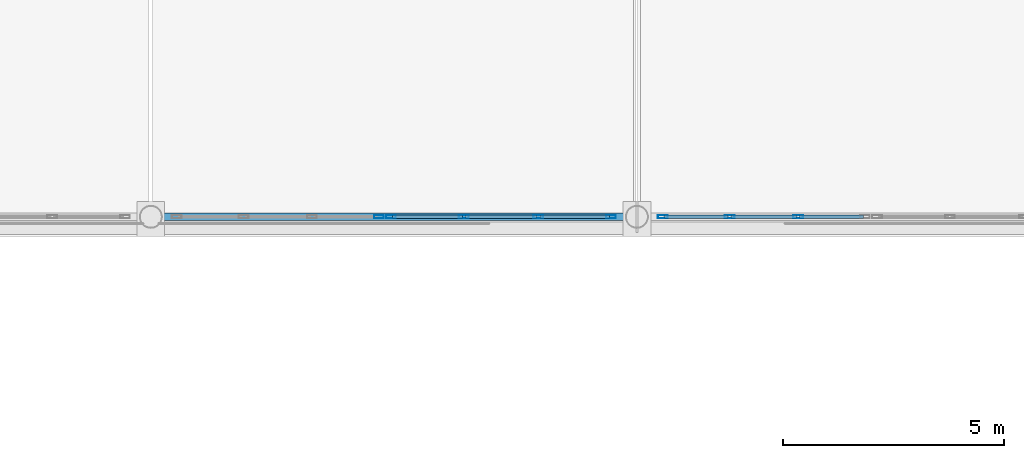
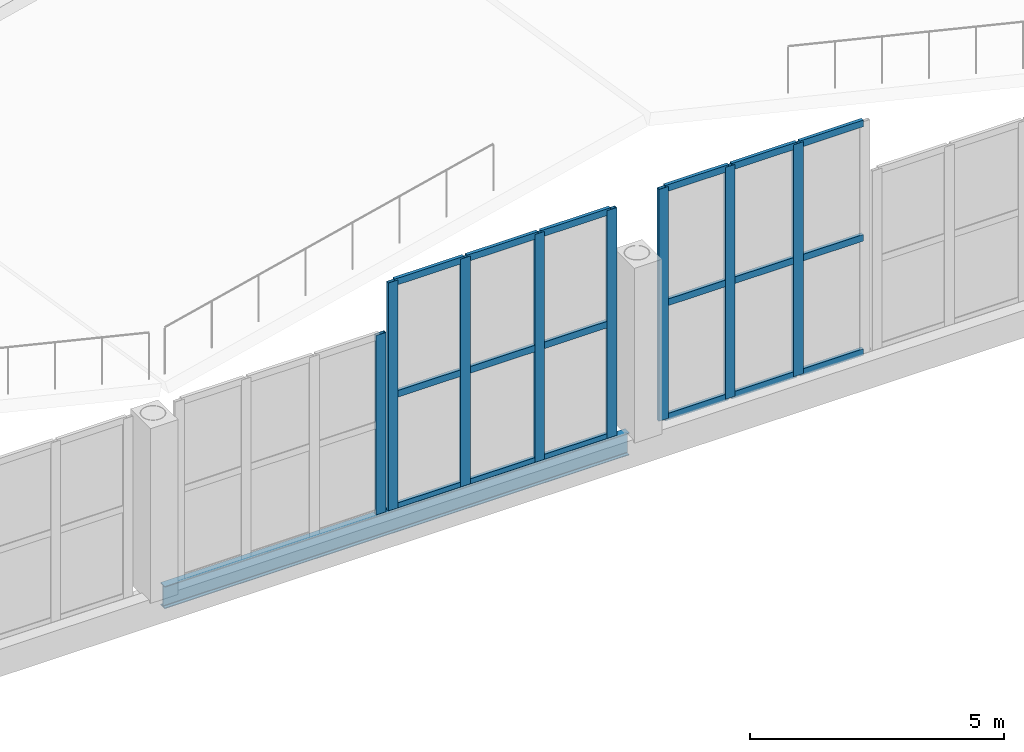
# One storey, part 17 of 120: 26 members, 1 beam, 3 elements without a shape of their own.
"""IFC4 building model written with IfcOpenShell, lengths in metres."""

from ifc_helpers import new_model, si_unit, direction, frame, origin, origin_2d, place, context, subcontext, project, spatial, hollow_rectangle, i_section, extrude, material, material_profile, profile_set, type_object, element, aggregate, save


model = new_model("IFC4")

# Units and contexts
model_context = context("Model", 3, precision=1e-05, world=origin(), true_north=direction((0.0, 1.0)))
body_context = subcontext(model_context, "Body", "Model", "MODEL_VIEW")
ifc_project = project(units=[si_unit("LENGTHUNIT", "METRE"), si_unit("AREAUNIT", "SQUARE_METRE"), si_unit("VOLUMEUNIT", "CUBIC_METRE"), si_unit("PLANEANGLEUNIT", "RADIAN"), si_unit("MASSUNIT", "GRAM", prefix="KILO")], contexts=[model_context])

# Site, building, storey
site_placement = place(None, origin())
site = spatial("IfcSite", under=ifc_project, at=site_placement, CompositionType="ELEMENT")
building_placement = place(site_placement, origin())
building = spatial("IfcBuilding", under=site, at=building_placement, Name="Caurita Quay Ferry Terminal", CompositionType="ELEMENT")
storey_placement = place(building_placement, frame((0.0, 0.0, 9.89990234375)))
storey = spatial("IfcBuildingStorey", under=building, at=storey_placement, Name="L02", CompositionType="ELEMENT", Elevation=9.89990234375)

# Beam
ifc_material_1 = material(Name="Structural steel ASTM A992 Gr. 50", Category="steel")
ifc_material_profile_1 = material_profile(ifc_material_1, i_section(OverallWidth=0.16650390625, OverallDepth=0.535888671875, WebThickness=0.01025390625, FlangeThickness=0.0166015625, FilletRadius=0.013916015625, at=origin_2d()), Name="W21X57")
ifc_profile_set_1 = profile_set([ifc_material_profile_1], Name="Structural steel ASTM A992 Gr. 50")
beam_type = type_object("IfcBeamType", Name="BM-SP-W21B", PredefinedType="SPANDREL", material=ifc_profile_set_1)
beam_placement = place(storey_placement, frame((44.219970703125, 34.60009765625, -0.267822265625), z_axis=(1.0, 0.0, 0.0), x_axis=(0.0, 1.0, 0.0)))
element("IfcBeam", 1, at=beam_placement, inside=storey, type_object=beam_type, Name="V1 Waterside Clerestory Sill Spandrel 44", PredefinedType="SPANDREL", context=body_context, shape_type="SweptSolid", body=[
    extrude(i_section(OverallWidth=0.16650390625, OverallDepth=0.535888671875, WebThickness=0.01025390625, FlangeThickness=0.0166015625, FilletRadius=0.013916015625, at=origin_2d()), origin(), (0.0, 0.0, 1.0), 10.56005859375),
])

# Curtain wall, member
ifc_material_2 = material(Name="Laminated solar-control insulated glass", Category="glass")
curtain_wall_type_1 = type_object("IfcCurtainWallType", Name="CW-SYS-01", PredefinedType="NOTDEFINED", material=ifc_material_2)
curtain_wall_1_placement = place(storey_placement, origin())
curtain_wall_1 = element("IfcCurtainWall", 2, at=curtain_wall_1_placement, inside=storey, type_object=curtain_wall_type_1, Name="Folded Roof Clerestory FB-03-S1", PredefinedType="NOTDEFINED")
ifc_material_3 = material(Name="Anodized aluminium 6063-T6", Category="aluminium")
ifc_material_profile_2 = material_profile(ifc_material_3, hollow_rectangle(XDim=0.074951171875, YDim=0.219970703125, WallThickness=0.00390625, at=origin_2d()), Name="ALU-MUL-75X220")
ifc_profile_set_2 = profile_set([ifc_material_profile_2], Name="Anodized aluminium 6063-T6")
member_type_1 = type_object("IfcMemberType", Name="CW-MUL-220", PredefinedType="MULLION", material=ifc_profile_set_2)
member_1_placement = place(storey_placement, frame((49.16259765625, 34.60009765625, 0.0), z_axis=(0.0, 0.0, 1.0), x_axis=(0.0, 1.0, 0.0)))
member_1 = element("IfcMember", 3, at=member_1_placement, type_object=member_type_1, Name="CW-CLR-017 Mullion 4", PredefinedType="MULLION", context=body_context, shape_type="SweptSolid", body=[
    extrude(hollow_rectangle(XDim=0.074951171875, YDim=0.219970703125, WallThickness=0.00390625, at=origin_2d()), origin(), (0.0, 0.0, 1.0), 4.31298828125),
])
aggregate(curtain_wall_1, [member_1])

# Curtain wall, members
curtain_wall_type_2 = type_object("IfcCurtainWallType", Name="CW-SYS-02", PredefinedType="NOTDEFINED", material=ifc_material_2)
curtain_wall_2_placement = place(storey_placement, origin())
curtain_wall_2 = element("IfcCurtainWall", 4, at=curtain_wall_2_placement, inside=storey, type_object=curtain_wall_type_2, Name="Folded Roof Clerestory FB-03-S2", PredefinedType="NOTDEFINED")
member_2_placement = place(storey_placement, frame((49.4375, 34.60009765625, 0.0), z_axis=(0.0, 0.0, 1.0), x_axis=(0.0, 1.0, 0.0)))
member_2 = element("IfcMember", 5, at=member_2_placement, type_object=member_type_1, Name="CW-CLR-018 Mullion 1", PredefinedType="MULLION", context=body_context, shape_type="SweptSolid", body=[
    extrude(hollow_rectangle(XDim=0.074951171875, YDim=0.219970703125, WallThickness=0.00390625, at=origin_2d()), origin(), (0.0, 0.0, 1.0), 5.47705078125),
])
member_3_placement = place(storey_placement, frame((51.083251953125, 34.60009765625, 0.0), z_axis=(0.0, 0.0, 1.0), x_axis=(0.0, 1.0, 0.0)))
member_3 = element("IfcMember", 6, at=member_3_placement, type_object=member_type_1, Name="CW-CLR-018 Mullion 2", PredefinedType="MULLION", context=body_context, shape_type="SweptSolid", body=[
    extrude(hollow_rectangle(XDim=0.074951171875, YDim=0.219970703125, WallThickness=0.00390625, at=origin_2d()), origin(), (0.0, 0.0, 1.0), 5.47705078125),
])
member_4_placement = place(storey_placement, frame((52.7666015625, 34.60009765625, 0.0), z_axis=(0.0, 0.0, 1.0), x_axis=(0.0, 1.0, 0.0)))
member_4 = element("IfcMember", 7, at=member_4_placement, type_object=member_type_1, Name="CW-CLR-018 Mullion 3", PredefinedType="MULLION", context=body_context, shape_type="SweptSolid", body=[
    extrude(hollow_rectangle(XDim=0.074951171875, YDim=0.219970703125, WallThickness=0.00390625, at=origin_2d()), origin(), (0.0, 0.0, 1.0), 5.47705078125),
])
member_5_placement = place(storey_placement, frame((54.41259765625, 34.60009765625, 0.0), z_axis=(0.0, 0.0, 1.0), x_axis=(0.0, 1.0, 0.0)))
member_5 = element("IfcMember", 8, at=member_5_placement, type_object=member_type_1, Name="CW-CLR-018 Mullion 4", PredefinedType="MULLION", context=body_context, shape_type="SweptSolid", body=[
    extrude(hollow_rectangle(XDim=0.074951171875, YDim=0.219970703125, WallThickness=0.00390625, at=origin_2d()), origin(), (0.0, 0.0, 1.0), 5.47705078125),
])

curtain_wall_type_3 = type_object("IfcCurtainWallType", Name="CW-SYS-03", PredefinedType="NOTDEFINED", material=ifc_material_2)
curtain_wall_3_placement = place(storey_placement, origin())
curtain_wall_3 = element("IfcCurtainWall", 9, at=curtain_wall_3_placement, inside=storey, type_object=curtain_wall_type_3, Name="Folded Roof Clerestory FB-03-S3", PredefinedType="NOTDEFINED")
member_6_placement = place(storey_placement, frame((55.58740234375, 34.60009765625, 0.0), z_axis=(0.0, 0.0, 1.0), x_axis=(0.0, 1.0, 0.0)))
member_6 = element("IfcMember", 10, at=member_6_placement, type_object=member_type_1, Name="CW-CLR-019 Mullion 1", PredefinedType="MULLION", context=body_context, shape_type="SweptSolid", body=[
    extrude(hollow_rectangle(XDim=0.074951171875, YDim=0.219970703125, WallThickness=0.00390625, at=origin_2d()), origin(), (0.0, 0.0, 1.0), 5.572998046875),
])
member_7_placement = place(storey_placement, frame((57.10009765625, 34.60009765625, 0.0), z_axis=(0.0, 0.0, 1.0), x_axis=(0.0, 1.0, 0.0)))
member_7 = element("IfcMember", 11, at=member_7_placement, type_object=member_type_1, Name="CW-CLR-019 Mullion 2", PredefinedType="MULLION", context=body_context, shape_type="SweptSolid", body=[
    extrude(hollow_rectangle(XDim=0.074951171875, YDim=0.219970703125, WallThickness=0.00390625, at=origin_2d()), origin(), (0.0, 0.0, 1.0), 5.572998046875),
])
member_8_placement = place(storey_placement, frame((58.64990234375, 34.60009765625, 0.0), z_axis=(0.0, 0.0, 1.0), x_axis=(0.0, 1.0, 0.0)))
member_8 = element("IfcMember", 12, at=member_8_placement, type_object=member_type_1, Name="CW-CLR-019 Mullion 3", PredefinedType="MULLION", context=body_context, shape_type="SweptSolid", body=[
    extrude(hollow_rectangle(XDim=0.074951171875, YDim=0.219970703125, WallThickness=0.00390625, at=origin_2d()), origin(), (0.0, 0.0, 1.0), 5.572998046875),
])

# Member
ifc_material_profile_3 = material_profile(ifc_material_3, hollow_rectangle(XDim=0.074951171875, YDim=0.159912109375, WallThickness=0.00390625, at=origin_2d()), Name="ALU-TRN-75X160")
ifc_profile_set_3 = profile_set([ifc_material_profile_3], Name="Anodized aluminium 6063-T6")
member_type_2 = type_object("IfcMemberType", Name="CW-TRN-160", PredefinedType="USERDEFINED", material=ifc_profile_set_3)
member_9_placement = place(storey_placement, frame((49.472900390625, 34.60009765625, 0.03759765625), z_axis=(1.0, 0.0, 0.0), x_axis=(0.0, 1.0, 0.0)))
member_9 = element("IfcMember", 13, at=member_9_placement, type_object=member_type_2, Name="CW-CLR-018 Transom 1", ObjectType="TRANSOM", PredefinedType="USERDEFINED", context=body_context, shape_type="SweptSolid", body=[
    extrude(hollow_rectangle(XDim=0.074951171875, YDim=0.159912109375, WallThickness=0.00390625, at=origin_2d()), origin(), (0.0, 0.0, 1.0), 1.574951171875),
])

member_10_placement = place(storey_placement, frame((49.472900390625, 34.60009765625, 2.738525390625), z_axis=(1.0, 0.0, 0.0), x_axis=(0.0, 1.0, 0.0)))
member_10 = element("IfcMember", 14, at=member_10_placement, type_object=member_type_2, Name="CW-CLR-018 Transom 2", ObjectType="TRANSOM", PredefinedType="USERDEFINED", context=body_context, shape_type="SweptSolid", body=[
    extrude(hollow_rectangle(XDim=0.074951171875, YDim=0.159912109375, WallThickness=0.00390625, at=origin_2d()), origin(), (0.0, 0.0, 1.0), 1.574951171875),
])

member_11_placement = place(storey_placement, frame((49.472900390625, 34.60009765625, 5.439697265625), z_axis=(1.0, 0.0, 0.0), x_axis=(0.0, 1.0, 0.0)))
member_11 = element("IfcMember", 15, at=member_11_placement, type_object=member_type_2, Name="CW-CLR-018 Transom 3", ObjectType="TRANSOM", PredefinedType="USERDEFINED", context=body_context, shape_type="SweptSolid", body=[
    extrude(hollow_rectangle(XDim=0.074951171875, YDim=0.159912109375, WallThickness=0.00390625, at=origin_2d()), origin(), (0.0, 0.0, 1.0), 1.574951171875),
])

member_12_placement = place(storey_placement, frame((51.118896484375, 34.60009765625, 0.03759765625), z_axis=(1.0, 0.0, 0.0), x_axis=(0.0, 1.0, 0.0)))
member_12 = element("IfcMember", 16, at=member_12_placement, type_object=member_type_2, Name="CW-CLR-018 Transom 4", ObjectType="TRANSOM", PredefinedType="USERDEFINED", context=body_context, shape_type="SweptSolid", body=[
    extrude(hollow_rectangle(XDim=0.074951171875, YDim=0.159912109375, WallThickness=0.00390625, at=origin_2d()), origin(), (0.0, 0.0, 1.0), 1.6123046875),
])

member_13_placement = place(storey_placement, frame((51.118896484375, 34.60009765625, 2.738525390625), z_axis=(1.0, 0.0, 0.0), x_axis=(0.0, 1.0, 0.0)))
member_13 = element("IfcMember", 17, at=member_13_placement, type_object=member_type_2, Name="CW-CLR-018 Transom 5", ObjectType="TRANSOM", PredefinedType="USERDEFINED", context=body_context, shape_type="SweptSolid", body=[
    extrude(hollow_rectangle(XDim=0.074951171875, YDim=0.159912109375, WallThickness=0.00390625, at=origin_2d()), origin(), (0.0, 0.0, 1.0), 1.6123046875),
])

member_14_placement = place(storey_placement, frame((51.118896484375, 34.60009765625, 5.439697265625), z_axis=(1.0, 0.0, 0.0), x_axis=(0.0, 1.0, 0.0)))
member_14 = element("IfcMember", 18, at=member_14_placement, type_object=member_type_2, Name="CW-CLR-018 Transom 6", ObjectType="TRANSOM", PredefinedType="USERDEFINED", context=body_context, shape_type="SweptSolid", body=[
    extrude(hollow_rectangle(XDim=0.074951171875, YDim=0.159912109375, WallThickness=0.00390625, at=origin_2d()), origin(), (0.0, 0.0, 1.0), 1.6123046875),
])

member_15_placement = place(storey_placement, frame((52.80224609375, 34.60009765625, 0.03759765625), z_axis=(1.0, 0.0, 0.0), x_axis=(0.0, 1.0, 0.0)))
member_15 = element("IfcMember", 19, at=member_15_placement, type_object=member_type_2, Name="CW-CLR-018 Transom 7", ObjectType="TRANSOM", PredefinedType="USERDEFINED", context=body_context, shape_type="SweptSolid", body=[
    extrude(hollow_rectangle(XDim=0.074951171875, YDim=0.159912109375, WallThickness=0.00390625, at=origin_2d()), origin(), (0.0, 0.0, 1.0), 1.57470703125),
])

member_16_placement = place(storey_placement, frame((52.80224609375, 34.60009765625, 2.738525390625), z_axis=(1.0, 0.0, 0.0), x_axis=(0.0, 1.0, 0.0)))
member_16 = element("IfcMember", 20, at=member_16_placement, type_object=member_type_2, Name="CW-CLR-018 Transom 8", ObjectType="TRANSOM", PredefinedType="USERDEFINED", context=body_context, shape_type="SweptSolid", body=[
    extrude(hollow_rectangle(XDim=0.074951171875, YDim=0.159912109375, WallThickness=0.00390625, at=origin_2d()), origin(), (0.0, 0.0, 1.0), 1.57470703125),
])

member_17_placement = place(storey_placement, frame((52.80224609375, 34.60009765625, 5.439697265625), z_axis=(1.0, 0.0, 0.0), x_axis=(0.0, 1.0, 0.0)))
member_17 = element("IfcMember", 21, at=member_17_placement, type_object=member_type_2, Name="CW-CLR-018 Transom 9", ObjectType="TRANSOM", PredefinedType="USERDEFINED", context=body_context, shape_type="SweptSolid", body=[
    extrude(hollow_rectangle(XDim=0.074951171875, YDim=0.159912109375, WallThickness=0.00390625, at=origin_2d()), origin(), (0.0, 0.0, 1.0), 1.57470703125),
])

aggregate(curtain_wall_2, [member_2, member_3, member_4, member_5, member_9, member_10, member_11, member_12, member_13, member_14, member_15, member_16, member_17])

member_18_placement = place(storey_placement, frame((55.623046875, 34.60009765625, 0.03759765625), z_axis=(1.0, 0.0, 0.0), x_axis=(0.0, 1.0, 0.0)))
member_18 = element("IfcMember", 22, at=member_18_placement, type_object=member_type_2, Name="CW-CLR-019 Transom 1", ObjectType="TRANSOM", PredefinedType="USERDEFINED", context=body_context, shape_type="SweptSolid", body=[
    extrude(hollow_rectangle(XDim=0.074951171875, YDim=0.159912109375, WallThickness=0.00390625, at=origin_2d()), origin(), (0.0, 0.0, 1.0), 1.44140625),
])

member_19_placement = place(storey_placement, frame((55.623046875, 34.60009765625, 2.78662109375), z_axis=(1.0, 0.0, 0.0), x_axis=(0.0, 1.0, 0.0)))
member_19 = element("IfcMember", 23, at=member_19_placement, type_object=member_type_2, Name="CW-CLR-019 Transom 2", ObjectType="TRANSOM", PredefinedType="USERDEFINED", context=body_context, shape_type="SweptSolid", body=[
    extrude(hollow_rectangle(XDim=0.074951171875, YDim=0.159912109375, WallThickness=0.00390625, at=origin_2d()), origin(), (0.0, 0.0, 1.0), 1.44140625),
])

member_20_placement = place(storey_placement, frame((55.623046875, 34.60009765625, 5.53564453125), z_axis=(1.0, 0.0, 0.0), x_axis=(0.0, 1.0, 0.0)))
member_20 = element("IfcMember", 24, at=member_20_placement, type_object=member_type_2, Name="CW-CLR-019 Transom 3", ObjectType="TRANSOM", PredefinedType="USERDEFINED", context=body_context, shape_type="SweptSolid", body=[
    extrude(hollow_rectangle(XDim=0.074951171875, YDim=0.159912109375, WallThickness=0.00390625, at=origin_2d()), origin(), (0.0, 0.0, 1.0), 1.44140625),
])

member_21_placement = place(storey_placement, frame((57.135498046875, 34.60009765625, 0.03759765625), z_axis=(1.0, 0.0, 0.0), x_axis=(0.0, 1.0, 0.0)))
member_21 = element("IfcMember", 25, at=member_21_placement, type_object=member_type_2, Name="CW-CLR-019 Transom 4", ObjectType="TRANSOM", PredefinedType="USERDEFINED", context=body_context, shape_type="SweptSolid", body=[
    extrude(hollow_rectangle(XDim=0.074951171875, YDim=0.159912109375, WallThickness=0.00390625, at=origin_2d()), origin(), (0.0, 0.0, 1.0), 1.47900390625),
])

member_22_placement = place(storey_placement, frame((57.135498046875, 34.60009765625, 2.78662109375), z_axis=(1.0, 0.0, 0.0), x_axis=(0.0, 1.0, 0.0)))
member_22 = element("IfcMember", 26, at=member_22_placement, type_object=member_type_2, Name="CW-CLR-019 Transom 5", ObjectType="TRANSOM", PredefinedType="USERDEFINED", context=body_context, shape_type="SweptSolid", body=[
    extrude(hollow_rectangle(XDim=0.074951171875, YDim=0.159912109375, WallThickness=0.00390625, at=origin_2d()), origin(), (0.0, 0.0, 1.0), 1.47900390625),
])

member_23_placement = place(storey_placement, frame((57.135498046875, 34.60009765625, 5.53564453125), z_axis=(1.0, 0.0, 0.0), x_axis=(0.0, 1.0, 0.0)))
member_23 = element("IfcMember", 27, at=member_23_placement, type_object=member_type_2, Name="CW-CLR-019 Transom 6", ObjectType="TRANSOM", PredefinedType="USERDEFINED", context=body_context, shape_type="SweptSolid", body=[
    extrude(hollow_rectangle(XDim=0.074951171875, YDim=0.159912109375, WallThickness=0.00390625, at=origin_2d()), origin(), (0.0, 0.0, 1.0), 1.47900390625),
])

member_24_placement = place(storey_placement, frame((58.685546875, 34.60009765625, 0.03759765625), z_axis=(1.0, 0.0, 0.0), x_axis=(0.0, 1.0, 0.0)))
member_24 = element("IfcMember", 28, at=member_24_placement, type_object=member_type_2, Name="CW-CLR-019 Transom 7", ObjectType="TRANSOM", PredefinedType="USERDEFINED", context=body_context, shape_type="SweptSolid", body=[
    extrude(hollow_rectangle(XDim=0.074951171875, YDim=0.159912109375, WallThickness=0.00390625, at=origin_2d()), origin(), (0.0, 0.0, 1.0), 1.44140625),
])

member_25_placement = place(storey_placement, frame((58.685546875, 34.60009765625, 2.78662109375), z_axis=(1.0, 0.0, 0.0), x_axis=(0.0, 1.0, 0.0)))
member_25 = element("IfcMember", 29, at=member_25_placement, type_object=member_type_2, Name="CW-CLR-019 Transom 8", ObjectType="TRANSOM", PredefinedType="USERDEFINED", context=body_context, shape_type="SweptSolid", body=[
    extrude(hollow_rectangle(XDim=0.074951171875, YDim=0.159912109375, WallThickness=0.00390625, at=origin_2d()), origin(), (0.0, 0.0, 1.0), 1.44140625),
])

member_26_placement = place(storey_placement, frame((58.685546875, 34.60009765625, 5.53564453125), z_axis=(1.0, 0.0, 0.0), x_axis=(0.0, 1.0, 0.0)))
member_26 = element("IfcMember", 30, at=member_26_placement, type_object=member_type_2, Name="CW-CLR-019 Transom 9", ObjectType="TRANSOM", PredefinedType="USERDEFINED", context=body_context, shape_type="SweptSolid", body=[
    extrude(hollow_rectangle(XDim=0.074951171875, YDim=0.159912109375, WallThickness=0.00390625, at=origin_2d()), origin(), (0.0, 0.0, 1.0), 1.44140625),
])

aggregate(curtain_wall_3, [member_6, member_7, member_8, member_18, member_19, member_20, member_21, member_22, member_23, member_24, member_25, member_26])

save(model, "model.ifc")
